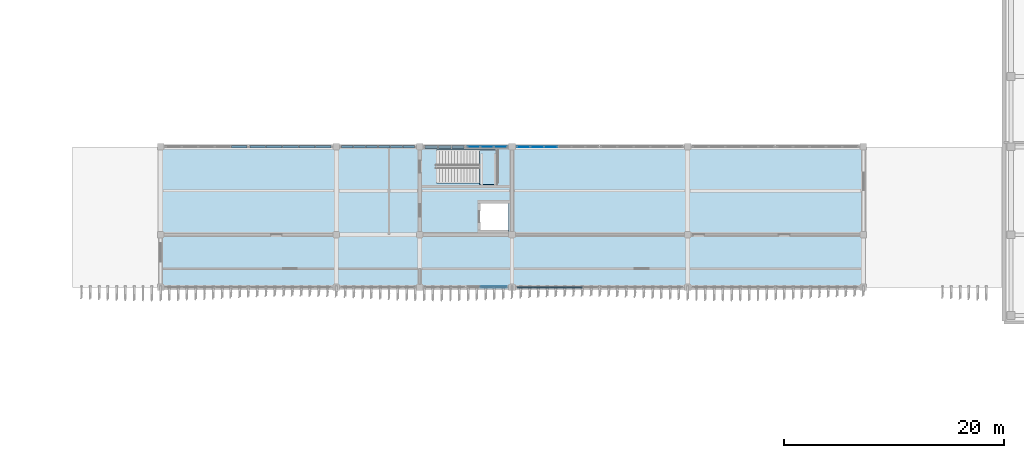
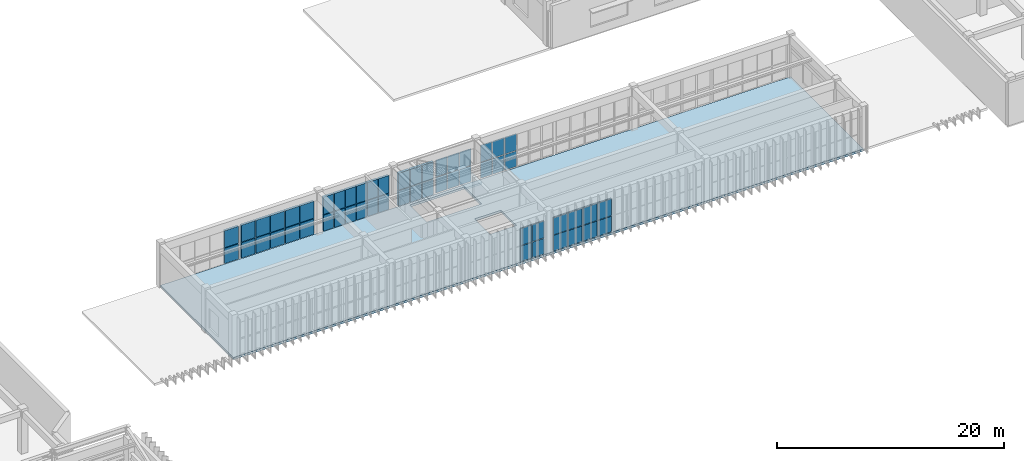
# One storey, part 44 of 76: 54 plates, 2 slabs, 9 elements without a shape of their own.
"""IFC4 building model written with IfcOpenShell, lengths in metres."""

import ifcopenshell
import ifcopenshell.guid

model = None  # the IFC model being written
_history = None  # IfcOwnerHistory: only IFC2X3 demands one
_inside = {}  # id of a spatial element -> (the spatial element, [elements in it])
_under = {}  # id of a project, library or spatial element -> (it, [spatial elements below it])
_declared = {}  # id of a project -> (the project, [libraries it declares])
_typed = {}  # id of a type object -> (the type object, [elements of that type])
_made_of = {}  # id of a material, layer set ... -> (it, [elements and type objects made of it])


def new_model(schema):
    """Start an empty IFC model of exactly this schema.

    Asked for "IFC4X3", IfcOpenShell would pick the latest addendum, in which some entities
    have other attributes; the version numbers below select the first issue.
    IFC2X3 requires an IfcOwnerHistory on every rooted entity: one is made here for all.
    """
    global model, _history
    if schema == "IFC4X3":
        model = ifcopenshell.file(schema_version=(4, 3, 0, 0))
    else:
        model = ifcopenshell.file(schema=schema)
    _inside.clear()
    _under.clear()
    _declared.clear()
    _typed.clear()
    _made_of.clear()
    _history = None
    if model.schema == "IFC2X3":
        org = make("IfcOrganization", Name="unknown")
        user = make(
            "IfcPersonAndOrganization",
            ThePerson=make("IfcPerson", FamilyName="unknown"),
            TheOrganization=org,
        )
        app = make(
            "IfcApplication",
            ApplicationDeveloper=org,
            Version="unknown",
            ApplicationFullName="unknown",
            ApplicationIdentifier="unknown",
        )
        _history = make(
            "IfcOwnerHistory",
            OwningUser=user,
            OwningApplication=app,
            ChangeAction="ADDED",
            CreationDate=0,
        )
    return model


def make(cls, **values):
    """One entity of the class cls with the attributes given. An attribute that is None is left unset."""
    return model.create_entity(
        cls, **{name: value for name, value in values.items() if value is not None}
    )


def rooted(cls, **values):
    """An entity with a GlobalId (a new one), such as an element, a storey or a relation."""
    return make(cls, GlobalId=ifcopenshell.guid.new(), OwnerHistory=_history, **values)


def si_unit(unit_type, name, prefix=None):
    """IfcSIUnit, for example si_unit("LENGTHUNIT", "METRE", prefix="MILLI")."""
    return make("IfcSIUnit", UnitType=unit_type, Prefix=prefix, Name=name)


def assignment(units):
    """IfcUnitAssignment: the units of a project."""
    return None if units is None else make("IfcUnitAssignment", Units=units)


def point(xyz):
    """IfcCartesianPoint."""
    return None if xyz is None else make("IfcCartesianPoint", Coordinates=xyz)


def direction(xyz):
    """IfcDirection."""
    return None if xyz is None else make("IfcDirection", DirectionRatios=xyz)


def frame(location, z_axis=None, x_axis=None):
    """IfcAxis2Placement3D, a coordinate frame: its origin and axes. An axis left out is left unset."""
    return make(
        "IfcAxis2Placement3D",
        Location=point(location),
        Axis=direction(z_axis),
        RefDirection=direction(x_axis),
    )


def frame_2d(location, x_axis=None):
    """IfcAxis2Placement2D, a coordinate frame in the plane: its origin and x axis."""
    return make(
        "IfcAxis2Placement2D", Location=point(location), RefDirection=direction(x_axis)
    )


def origin():
    """The frame at (0, 0, 0) with its axes left unset."""
    return frame((0.0, 0.0, 0.0))


def origin_2d():
    """The frame at (0, 0) in the plane with its x axis left unset."""
    return frame_2d((0.0, 0.0))


def place(relative_to, where):
    """IfcLocalPlacement: puts the frame where relative to a parent placement (None: the world)."""
    return make(
        "IfcLocalPlacement", PlacementRelTo=relative_to, RelativePlacement=where
    )


def context(
    kind, dimensions, precision=None, world=None, true_north=None, identifier=None
):
    """IfcGeometricRepresentationContext, for example the 3D "Model" context."""
    return make(
        "IfcGeometricRepresentationContext",
        ContextIdentifier=identifier,
        ContextType=kind,
        CoordinateSpaceDimension=dimensions,
        Precision=precision,
        WorldCoordinateSystem=world,
        TrueNorth=true_north,
    )


def subcontext(parent, identifier, kind, view, scale=None):
    """IfcGeometricRepresentationSubContext, for example "Body" below "Model"."""
    return make(
        "IfcGeometricRepresentationSubContext",
        ContextIdentifier=identifier,
        ContextType=kind,
        ParentContext=parent,
        TargetScale=scale,
        TargetView=view,
    )


def project(units=None, contexts=None):
    """IfcProject with its units and contexts."""
    return rooted(
        "IfcProject",
        Name="project",
        RepresentationContexts=contexts,
        UnitsInContext=assignment(units),
    )


def spatial(cls, under=None, at=None, **own):
    """A site, building, storey or space (cls), placed at a placement, below another one or the project."""
    s = rooted(cls, ObjectPlacement=at, **own)
    if under is not None:
        _under.setdefault(under.id(), (under, []))[1].append(s)
    return s


def polyline(points):
    """IfcPolyline through the points."""
    return make("IfcPolyline", Points=[point(p) for p in points])


def profile(cls, at=None, kind="AREA", **sizes):
    """A parametric profile (cls). Its sizes go by their IFC names, for example OverallWidth=200.0."""
    return make(cls, ProfileType=kind, Position=at, **sizes)


def rectangle(**sizes):
    """IfcRectangleProfileDef."""
    return profile("IfcRectangleProfileDef", **sizes)


def outline(outer, holes=None, kind="AREA"):
    """IfcArbitraryClosedProfileDef: a profile drawn as a closed curve; with holes, ...WithVoids."""
    if holes is None:
        return make("IfcArbitraryClosedProfileDef", ProfileType=kind, OuterCurve=outer)
    return make(
        "IfcArbitraryProfileDefWithVoids",
        ProfileType=kind,
        OuterCurve=outer,
        InnerCurves=holes,
    )


def extrude(swept, where, along, depth):
    """IfcExtrudedAreaSolid: the profile swept, set in the frame where, extruded along a direction by depth."""
    return make(
        "IfcExtrudedAreaSolid",
        SweptArea=swept,
        Position=where,
        ExtrudedDirection=direction(along),
        Depth=depth,
    )


def shape(context_of_items, identifier, shape_type, items):
    """IfcShapeRepresentation: the items that make up one representation, for example the "Body"."""
    return make(
        "IfcShapeRepresentation",
        ContextOfItems=context_of_items,
        RepresentationIdentifier=identifier,
        RepresentationType=shape_type,
        Items=items,
    )


def material(Name=None, Category=None):
    """IfcMaterial."""
    return make("IfcMaterial", Name=Name, Category=Category)


def layer(
    of_material, thickness, ventilated=None, Name=None, Category=None, Priority=None
):
    """IfcMaterialLayer: one layer of a wall or slab, of a material (None: an air gap)."""
    return make(
        "IfcMaterialLayer",
        Material=of_material,
        LayerThickness=thickness,
        IsVentilated=ventilated,
        Name=Name,
        Category=Category,
        Priority=Priority,
    )


def layer_set(layers, Name=None):
    """IfcMaterialLayerSet."""
    return make("IfcMaterialLayerSet", MaterialLayers=layers, LayerSetName=Name)


def made_of(thing, what):
    """Note that an element or type object is made of a material, layer set ...; save() writes the relation."""
    if what is not None:
        _made_of.setdefault(what.id(), (what, []))[1].append(thing)
    return thing


def type_object(cls, material=None, **own):
    """A type object (cls), such as IfcWallType, which elements share."""
    return made_of(rooted(cls, **own), material)


def element(
    cls,
    number,
    at=None,
    inside=None,
    cuts=None,
    type_object=None,
    material=None,
    context=None,
    identifier="Body",
    shape_type=None,
    held_by="IfcProductDefinitionShape",
    body=None,
    shapes=None,
    **own,
):
    """One element of the class cls, such as IfcWall. Its Tag is "e" and its number.

    at: its placement. inside: the storey or other place that contains it. cuts: it is an
    opening in that element (IfcRelVoidsElement). A single representation is given by context,
    identifier, shape_type and body (its items); several are given by shapes. held_by: the class
    of the entity that holds the representations. save() writes the other relations.
    """
    e = rooted(cls, Tag="e%d" % number, ObjectPlacement=at, **own)
    if body is not None:
        shapes = [shape(context, identifier, shape_type, body)]
    if shapes is not None:
        e.Representation = make(held_by, Representations=shapes)
    if inside is not None:
        _inside.setdefault(inside.id(), (inside, []))[1].append(e)
    if cuts is not None:
        rooted(
            "IfcRelVoidsElement", RelatingBuildingElement=cuts, RelatedOpeningElement=e
        )
    if type_object is not None:
        _typed.setdefault(type_object.id(), (type_object, []))[1].append(e)
    return made_of(e, material)


def aggregate(whole, parts):
    """IfcRelAggregates: a whole, such as a stair, and the parts it consists of."""
    return rooted("IfcRelAggregates", RelatingObject=whole, RelatedObjects=parts)


def save(model, path):
    """Write the relations noted so far, then the file.

    IfcRelAggregates (storeys below a building ...), IfcRelContainedInSpatialStructure (elements
    in a storey), IfcRelDefinesByType, IfcRelAssociatesMaterial and IfcRelDeclares: one each for
    every whole, place, type object, material and project.
    """
    for whole, parts in _under.values():
        aggregate(whole, parts)
    for where, things in _inside.values():
        rooted(
            "IfcRelContainedInSpatialStructure",
            RelatedElements=things,
            RelatingStructure=where,
        )
    for kind, things in _typed.values():
        rooted("IfcRelDefinesByType", RelatedObjects=things, RelatingType=kind)
    for what, things in _made_of.values():
        rooted("IfcRelAssociatesMaterial", RelatedObjects=things, RelatingMaterial=what)
    for by, libraries in _declared.values():
        rooted("IfcRelDeclares", RelatingContext=by, RelatedDefinitions=libraries)
    model.write(path)


model = new_model("IFC4")

# Units and contexts
model_context = context("Model", 3, precision=1e-05, world=origin(), true_north=direction((0.0, 1.0)))
body_context = subcontext(model_context, "Body", "Model", "MODEL_VIEW")
ifc_project = project(units=[si_unit("LENGTHUNIT", "METRE"), si_unit("AREAUNIT", "SQUARE_METRE"), si_unit("VOLUMEUNIT", "CUBIC_METRE"), si_unit("PLANEANGLEUNIT", "RADIAN"), si_unit("MASSUNIT", "GRAM", prefix="KILO")], contexts=[model_context])

# Site, building, storey
site_placement = place(None, origin())
site = spatial("IfcSite", under=ifc_project, at=site_placement, CompositionType="ELEMENT")
building_placement = place(site_placement, origin())
building = spatial("IfcBuilding", under=site, at=building_placement, Name="Cinchona Park Media Centre", CompositionType="ELEMENT")
storey_placement = place(building_placement, frame((0.0, 0.0, 15.60009765625)))
storey = spatial("IfcBuildingStorey", under=building, at=storey_placement, Name="L03", CompositionType="ELEMENT", Elevation=15.60009765625)

# Curtain wall, plates
ifc_material_1 = material(Name="Aluminium Curtain Wall Framing", Category="aluminium")
ifc_layer_1 = layer(ifc_material_1, 0.2099609375)
ifc_layer_set_1 = layer_set([ifc_layer_1], Name="Aluminium Curtain Wall Framing")
curtain_wall_type_1 = type_object("IfcCurtainWallType", Name="CW-CW03", PredefinedType="USERDEFINED", material=ifc_layer_set_1)
curtain_wall_1_placement = place(storey_placement, origin())
curtain_wall_1 = element("IfcCurtainWall", 1, at=curtain_wall_1_placement, inside=storey, type_object=curtain_wall_type_1, Name="Curtain Wall CW03 L03", ObjectType="UNITISED CURTAIN WALL", PredefinedType="USERDEFINED")
ifc_material_2 = material(Name="Laminated Solar-Control Double Glazing", Category="glass")
ifc_layer_2 = layer(ifc_material_2, 0.02001953125)
ifc_layer_set_2 = layer_set([ifc_layer_2], Name="Laminated Solar-Control Double Glazing")
plate_type_1 = type_object("IfcPlateType", Name="CWPANEL-PNL01", PredefinedType="CURTAIN_PANEL", material=ifc_layer_set_2)
plate_1_placement = place(storey_placement, frame((91.314208984375, 87.60009765625, 0.1201171875), z_axis=(0.0, 0.0, 1.0), x_axis=(1.0, 0.0, 0.0)))
plate_1 = element("IfcPlate", 2, at=plate_1_placement, type_object=plate_type_1, Name="CW03 panel 1.1", PredefinedType="CURTAIN_PANEL", context=body_context, shape_type="SweptSolid", body=[
    extrude(rectangle(XDim=1.12841796875, YDim=0.02001953125, at=origin_2d()), origin(), (0.0, 0.0, 1.0), 1.660888671875),
])
plate_2_placement = place(storey_placement, frame((91.314208984375, 87.60009765625, 1.850830078125), z_axis=(0.0, 0.0, 1.0), x_axis=(1.0, 0.0, 0.0)))
plate_2 = element("IfcPlate", 3, at=plate_2_placement, type_object=plate_type_1, Name="CW03 panel 1.2", PredefinedType="CURTAIN_PANEL", context=body_context, shape_type="SweptSolid", body=[
    extrude(rectangle(XDim=1.12841796875, YDim=0.02001953125, at=origin_2d()), origin(), (0.0, 0.0, 1.0), 1.80908203125),
])
plate_3_placement = place(storey_placement, frame((92.530029296875, 87.60009765625, 0.1201171875), z_axis=(0.0, 0.0, 1.0), x_axis=(1.0, 0.0, 0.0)))
plate_3 = element("IfcPlate", 4, at=plate_3_placement, type_object=plate_type_1, Name="CW03 panel 2.1", PredefinedType="CURTAIN_PANEL", context=body_context, shape_type="SweptSolid", body=[
    extrude(rectangle(XDim=1.163330078125, YDim=0.02001953125, at=origin_2d()), origin(), (0.0, 0.0, 1.0), 1.660888671875),
])
plate_4_placement = place(storey_placement, frame((92.530029296875, 87.60009765625, 1.850830078125), z_axis=(0.0, 0.0, 1.0), x_axis=(1.0, 0.0, 0.0)))
plate_4 = element("IfcPlate", 5, at=plate_4_placement, type_object=plate_type_1, Name="CW03 panel 2.2", PredefinedType="CURTAIN_PANEL", context=body_context, shape_type="SweptSolid", body=[
    extrude(rectangle(XDim=1.163330078125, YDim=0.02001953125, at=origin_2d()), origin(), (0.0, 0.0, 1.0), 1.80908203125),
])
plate_5_placement = place(storey_placement, frame((93.745849609375, 87.60009765625, 0.1201171875), z_axis=(0.0, 0.0, 1.0), x_axis=(1.0, 0.0, 0.0)))
plate_5 = element("IfcPlate", 6, at=plate_5_placement, type_object=plate_type_1, Name="CW03 panel 3.1", PredefinedType="CURTAIN_PANEL", context=body_context, shape_type="SweptSolid", body=[
    extrude(rectangle(XDim=1.12841796875, YDim=0.02001953125, at=origin_2d()), origin(), (0.0, 0.0, 1.0), 1.660888671875),
])
plate_6_placement = place(storey_placement, frame((93.745849609375, 87.60009765625, 1.850830078125), z_axis=(0.0, 0.0, 1.0), x_axis=(1.0, 0.0, 0.0)))
plate_6 = element("IfcPlate", 7, at=plate_6_placement, type_object=plate_type_1, Name="CW03 panel 3.2", PredefinedType="CURTAIN_PANEL", context=body_context, shape_type="SweptSolid", body=[
    extrude(rectangle(XDim=1.12841796875, YDim=0.02001953125, at=origin_2d()), origin(), (0.0, 0.0, 1.0), 1.80908203125),
])
aggregate(curtain_wall_1, [plate_1, plate_2, plate_3, plate_4, plate_5, plate_6])

ifc_material_3 = material(Name="Aluminium Curtain Wall Framing", Category="aluminium")
ifc_layer_3 = layer(ifc_material_3, 0.22509765625)
ifc_layer_set_3 = layer_set([ifc_layer_3], Name="Aluminium Curtain Wall Framing")
curtain_wall_type_2 = type_object("IfcCurtainWallType", Name="CW-CW04", PredefinedType="USERDEFINED", material=ifc_layer_set_3)
curtain_wall_2_placement = place(storey_placement, origin())
curtain_wall_2 = element("IfcCurtainWall", 8, at=curtain_wall_2_placement, inside=storey, type_object=curtain_wall_type_2, Name="Curtain Wall CW04 L03", ObjectType="UNITISED CURTAIN WALL", PredefinedType="USERDEFINED")
ifc_material_4 = material(Name="Laminated Solar-Control Double Glazing", Category="glass")
ifc_layer_4 = layer(ifc_material_4, 0.030029296875)
ifc_layer_set_4 = layer_set([ifc_layer_4], Name="Laminated Solar-Control Double Glazing")
plate_type_2 = type_object("IfcPlateType", Name="CWPANEL-PNL02", PredefinedType="CURTAIN_PANEL", material=ifc_layer_set_4)
plate_7_placement = place(storey_placement, frame((95.861328125, 87.60009765625, 0.114990234375), z_axis=(0.0, 0.0, 1.0), x_axis=(1.0, 0.0, 0.0)))
plate_7 = element("IfcPlate", 9, at=plate_7_placement, type_object=plate_type_2, Name="CW04 panel 1.1", PredefinedType="CURTAIN_PANEL", context=body_context, shape_type="SweptSolid", body=[
    extrude(rectangle(XDim=1.152587890625, YDim=0.030029296875, at=origin_2d()), origin(), (0.0, 0.0, 1.0), 1.66845703125),
])
plate_8_placement = place(storey_placement, frame((95.861328125, 87.60009765625, 1.848388671875), z_axis=(0.0, 0.0, 1.0), x_axis=(1.0, 0.0, 0.0)))
plate_8 = element("IfcPlate", 10, at=plate_8_placement, type_object=plate_type_2, Name="CW04 panel 1.2", PredefinedType="CURTAIN_PANEL", context=body_context, shape_type="SweptSolid", body=[
    extrude(rectangle(XDim=1.152587890625, YDim=0.030029296875, at=origin_2d()), origin(), (0.0, 0.0, 1.0), 1.81640625),
])
plate_9_placement = place(storey_placement, frame((97.094970703125, 87.60009765625, 0.114990234375), z_axis=(0.0, 0.0, 1.0), x_axis=(1.0, 0.0, 0.0)))
plate_9 = element("IfcPlate", 11, at=plate_9_placement, type_object=plate_type_2, Name="CW04 panel 2.1", PredefinedType="CURTAIN_PANEL", context=body_context, shape_type="SweptSolid", body=[
    extrude(rectangle(XDim=1.18505859375, YDim=0.030029296875, at=origin_2d()), origin(), (0.0, 0.0, 1.0), 1.66845703125),
])
plate_10_placement = place(storey_placement, frame((97.094970703125, 87.60009765625, 1.848388671875), z_axis=(0.0, 0.0, 1.0), x_axis=(1.0, 0.0, 0.0)))
plate_10 = element("IfcPlate", 12, at=plate_10_placement, type_object=plate_type_2, Name="CW04 panel 2.2", PredefinedType="CURTAIN_PANEL", context=body_context, shape_type="SweptSolid", body=[
    extrude(rectangle(XDim=1.18505859375, YDim=0.030029296875, at=origin_2d()), origin(), (0.0, 0.0, 1.0), 1.81640625),
])
plate_11_placement = place(storey_placement, frame((98.344970703125, 87.60009765625, 0.114990234375), z_axis=(0.0, 0.0, 1.0), x_axis=(1.0, 0.0, 0.0)))
plate_11 = element("IfcPlate", 13, at=plate_11_placement, type_object=plate_type_2, Name="CW04 panel 3.1", PredefinedType="CURTAIN_PANEL", context=body_context, shape_type="SweptSolid", body=[
    extrude(rectangle(XDim=1.18505859375, YDim=0.030029296875, at=origin_2d()), origin(), (0.0, 0.0, 1.0), 1.66845703125),
])
plate_12_placement = place(storey_placement, frame((98.344970703125, 87.60009765625, 1.848388671875), z_axis=(0.0, 0.0, 1.0), x_axis=(1.0, 0.0, 0.0)))
plate_12 = element("IfcPlate", 14, at=plate_12_placement, type_object=plate_type_2, Name="CW04 panel 3.2", PredefinedType="CURTAIN_PANEL", context=body_context, shape_type="SweptSolid", body=[
    extrude(rectangle(XDim=1.18505859375, YDim=0.030029296875, at=origin_2d()), origin(), (0.0, 0.0, 1.0), 1.81640625),
])
aggregate(curtain_wall_2, [plate_7, plate_8, plate_9, plate_10, plate_11, plate_12])

ifc_material_5 = material(Name="Aluminium Curtain Wall Framing", Category="aluminium")
ifc_layer_5 = layer(ifc_material_5, 0.195068359375)
ifc_layer_set_5 = layer_set([ifc_layer_5], Name="Aluminium Curtain Wall Framing")
curtain_wall_type_3 = type_object("IfcCurtainWallType", Name="CW-CW02", PredefinedType="USERDEFINED", material=ifc_layer_set_5)
curtain_wall_3_placement = place(storey_placement, origin())
curtain_wall_3 = element("IfcCurtainWall", 15, at=curtain_wall_3_placement, inside=storey, type_object=curtain_wall_type_3, Name="Curtain Wall CW02 L03", ObjectType="UNITISED CURTAIN WALL", PredefinedType="USERDEFINED")
ifc_material_6 = material(Name="Insulated Acoustic Aluminium-Glass Spandrel Cassette", Category="aluminium")
ifc_layer_6 = layer(ifc_material_6, 0.090087890625)
ifc_layer_set_6 = layer_set([ifc_layer_6], Name="Insulated Acoustic Aluminium-Glass Spandrel Cassette")
plate_type_3 = type_object("IfcPlateType", Name="CWPANEL-PNL08", PredefinedType="CURTAIN_PANEL", material=ifc_layer_set_6)
plate_13_placement = place(storey_placement, frame((93.745849609375, 74.800048828125, 0.1201171875), z_axis=(0.0, 0.0, 1.0), x_axis=(-1.0, 0.0, 0.0)))
plate_13 = element("IfcPlate", 16, at=plate_13_placement, type_object=plate_type_3, Name="CW02 panel 1.1", PredefinedType="CURTAIN_PANEL", context=body_context, shape_type="SweptSolid", body=[
    extrude(rectangle(XDim=1.12841796875, YDim=0.090087890625, at=origin_2d()), origin(), (0.0, 0.0, 1.0), 1.660888671875),
])
plate_14_placement = place(storey_placement, frame((93.745849609375, 74.800048828125, 1.850830078125), z_axis=(0.0, 0.0, 1.0), x_axis=(-1.0, 0.0, 0.0)))
plate_14 = element("IfcPlate", 17, at=plate_14_placement, type_object=plate_type_3, Name="CW02 panel 1.2", PredefinedType="CURTAIN_PANEL", context=body_context, shape_type="SweptSolid", body=[
    extrude(rectangle(XDim=1.12841796875, YDim=0.090087890625, at=origin_2d()), origin(), (0.0, 0.0, 1.0), 1.80908203125),
])
plate_15_placement = place(storey_placement, frame((92.530029296875, 74.800048828125, 0.1201171875), z_axis=(0.0, 0.0, 1.0), x_axis=(-1.0, 0.0, 0.0)))
plate_15 = element("IfcPlate", 18, at=plate_15_placement, type_object=plate_type_3, Name="CW02 panel 2.1", PredefinedType="CURTAIN_PANEL", context=body_context, shape_type="SweptSolid", body=[
    extrude(rectangle(XDim=1.163330078125, YDim=0.090087890625, at=origin_2d()), origin(), (0.0, 0.0, 1.0), 1.660888671875),
])
plate_16_placement = place(storey_placement, frame((92.530029296875, 74.800048828125, 1.850830078125), z_axis=(0.0, 0.0, 1.0), x_axis=(-1.0, 0.0, 0.0)))
plate_16 = element("IfcPlate", 19, at=plate_16_placement, type_object=plate_type_3, Name="CW02 panel 2.2", PredefinedType="CURTAIN_PANEL", context=body_context, shape_type="SweptSolid", body=[
    extrude(rectangle(XDim=1.163330078125, YDim=0.090087890625, at=origin_2d()), origin(), (0.0, 0.0, 1.0), 1.80908203125),
])
aggregate(curtain_wall_3, [plate_13, plate_14, plate_15, plate_16])

ifc_material_7 = material(Name="Aluminium Curtain Wall Framing", Category="aluminium")
ifc_layer_7 = layer(ifc_material_7, 0.239990234375)
ifc_layer_set_7 = layer_set([ifc_layer_7], Name="Aluminium Curtain Wall Framing")
curtain_wall_type_4 = type_object("IfcCurtainWallType", Name="CW-CW05", PredefinedType="USERDEFINED", material=ifc_layer_set_7)
curtain_wall_4_placement = place(storey_placement, origin())
curtain_wall_4 = element("IfcCurtainWall", 20, at=curtain_wall_4_placement, inside=storey, type_object=curtain_wall_type_4, Name="Curtain Wall CW05 L03", ObjectType="UNITISED CURTAIN WALL", PredefinedType="USERDEFINED")
ifc_material_8 = material(Name="Insulated Acoustic Aluminium-Glass Spandrel Cassette", Category="aluminium")
ifc_layer_8 = layer(ifc_material_8, 0.139892578125)
ifc_layer_set_8 = layer_set([ifc_layer_8], Name="Insulated Acoustic Aluminium-Glass Spandrel Cassette")
plate_type_4 = type_object("IfcPlateType", Name="CWPANEL-PNL13", PredefinedType="CURTAIN_PANEL", material=ifc_layer_set_8)
plate_17_placement = place(storey_placement, frame((100.469970703125, 74.800048828125, 0.114990234375), z_axis=(0.0, 0.0, 1.0), x_axis=(-1.0, 0.0, 0.0)))
plate_17 = element("IfcPlate", 21, at=plate_17_placement, type_object=plate_type_4, Name="CW05 panel 2.1", PredefinedType="CURTAIN_PANEL", context=body_context, shape_type="SweptSolid", body=[
    extrude(rectangle(XDim=1.43505859375, YDim=0.139892578125, at=origin_2d()), origin(), (0.0, 0.0, 1.0), 1.66845703125),
])
plate_18_placement = place(storey_placement, frame((100.469970703125, 74.800048828125, 1.848388671875), z_axis=(0.0, 0.0, 1.0), x_axis=(-1.0, 0.0, 0.0)))
plate_18 = element("IfcPlate", 22, at=plate_18_placement, type_object=plate_type_4, Name="CW05 panel 2.2", PredefinedType="CURTAIN_PANEL", context=body_context, shape_type="SweptSolid", body=[
    extrude(rectangle(XDim=1.43505859375, YDim=0.139892578125, at=origin_2d()), origin(), (0.0, 0.0, 1.0), 1.81640625),
])
plate_19_placement = place(storey_placement, frame((98.969970703125, 74.800048828125, 0.114990234375), z_axis=(0.0, 0.0, 1.0), x_axis=(-1.0, 0.0, 0.0)))
plate_19 = element("IfcPlate", 23, at=plate_19_placement, type_object=plate_type_4, Name="CW05 panel 3.1", PredefinedType="CURTAIN_PANEL", context=body_context, shape_type="SweptSolid", body=[
    extrude(rectangle(XDim=1.43505859375, YDim=0.139892578125, at=origin_2d()), origin(), (0.0, 0.0, 1.0), 1.66845703125),
])
plate_20_placement = place(storey_placement, frame((98.969970703125, 74.800048828125, 1.848388671875), z_axis=(0.0, 0.0, 1.0), x_axis=(-1.0, 0.0, 0.0)))
plate_20 = element("IfcPlate", 24, at=plate_20_placement, type_object=plate_type_4, Name="CW05 panel 3.2", PredefinedType="CURTAIN_PANEL", context=body_context, shape_type="SweptSolid", body=[
    extrude(rectangle(XDim=1.43505859375, YDim=0.139892578125, at=origin_2d()), origin(), (0.0, 0.0, 1.0), 1.81640625),
])
plate_21_placement = place(storey_placement, frame((97.469970703125, 74.800048828125, 0.114990234375), z_axis=(0.0, 0.0, 1.0), x_axis=(-1.0, 0.0, 0.0)))
plate_21 = element("IfcPlate", 25, at=plate_21_placement, type_object=plate_type_4, Name="CW05 panel 4.1", PredefinedType="CURTAIN_PANEL", context=body_context, shape_type="SweptSolid", body=[
    extrude(rectangle(XDim=1.43505859375, YDim=0.139892578125, at=origin_2d()), origin(), (0.0, 0.0, 1.0), 1.66845703125),
])
plate_22_placement = place(storey_placement, frame((97.469970703125, 74.800048828125, 1.848388671875), z_axis=(0.0, 0.0, 1.0), x_axis=(-1.0, 0.0, 0.0)))
plate_22 = element("IfcPlate", 26, at=plate_22_placement, type_object=plate_type_4, Name="CW05 panel 4.2", PredefinedType="CURTAIN_PANEL", context=body_context, shape_type="SweptSolid", body=[
    extrude(rectangle(XDim=1.43505859375, YDim=0.139892578125, at=origin_2d()), origin(), (0.0, 0.0, 1.0), 1.81640625),
])
plate_23_placement = place(storey_placement, frame((95.986328125, 74.800048828125, 0.114990234375), z_axis=(0.0, 0.0, 1.0), x_axis=(-1.0, 0.0, 0.0)))
plate_23 = element("IfcPlate", 27, at=plate_23_placement, type_object=plate_type_4, Name="CW05 panel 5.1", PredefinedType="CURTAIN_PANEL", context=body_context, shape_type="SweptSolid", body=[
    extrude(rectangle(XDim=1.402587890625, YDim=0.139892578125, at=origin_2d()), origin(), (0.0, 0.0, 1.0), 1.66845703125),
])
plate_24_placement = place(storey_placement, frame((95.986328125, 74.800048828125, 1.848388671875), z_axis=(0.0, 0.0, 1.0), x_axis=(-1.0, 0.0, 0.0)))
plate_24 = element("IfcPlate", 28, at=plate_24_placement, type_object=plate_type_4, Name="CW05 panel 5.2", PredefinedType="CURTAIN_PANEL", context=body_context, shape_type="SweptSolid", body=[
    extrude(rectangle(XDim=1.402587890625, YDim=0.139892578125, at=origin_2d()), origin(), (0.0, 0.0, 1.0), 1.81640625),
])
aggregate(curtain_wall_4, [plate_17, plate_18, plate_19, plate_20, plate_21, plate_22, plate_23, plate_24])

ifc_material_9 = material(Name="Aluminium Curtain Wall Framing", Category="aluminium")
ifc_layer_9 = layer(ifc_material_9, 0.284912109375)
ifc_layer_set_9 = layer_set([ifc_layer_9], Name="Aluminium Curtain Wall Framing")
curtain_wall_type_5 = type_object("IfcCurtainWallType", Name="CW-CW08", PredefinedType="USERDEFINED", material=ifc_layer_set_9)
curtain_wall_5_placement = place(storey_placement, origin())
curtain_wall_5 = element("IfcCurtainWall", 29, at=curtain_wall_5_placement, inside=storey, type_object=curtain_wall_type_5, Name="Curtain Wall CW08 L03", ObjectType="UNITISED CURTAIN WALL", PredefinedType="USERDEFINED")
ifc_material_10 = material(Name="Insulated Acoustic Aluminium-Glass Spandrel Cassette", Category="aluminium")
ifc_layer_10 = layer(ifc_material_10, 0.2099609375)
ifc_layer_set_10 = layer_set([ifc_layer_10], Name="Insulated Acoustic Aluminium-Glass Spandrel Cassette")
plate_type_5 = type_object("IfcPlateType", Name="CWPANEL-PNL20", PredefinedType="CURTAIN_PANEL", material=ifc_layer_set_10)
plate_25_placement = place(storey_placement, frame((69.952392578125, 87.60009765625, 0.1201171875), z_axis=(0.0, 0.0, 1.0), x_axis=(1.0, 0.0, 0.0)))
plate_25 = element("IfcPlate", 30, at=plate_25_placement, type_object=plate_type_5, Name="CW08 panel 5.1", PredefinedType="CURTAIN_PANEL", context=body_context, shape_type="SweptSolid", body=[
    extrude(rectangle(XDim=1.39501953125, YDim=0.2099609375, at=origin_2d()), origin(), (0.0, 0.0, 1.0), 1.660888671875),
])
plate_26_placement = place(storey_placement, frame((69.952392578125, 87.60009765625, 1.850830078125), z_axis=(0.0, 0.0, 1.0), x_axis=(1.0, 0.0, 0.0)))
plate_26 = element("IfcPlate", 31, at=plate_26_placement, type_object=plate_type_5, Name="CW08 panel 5.2", PredefinedType="CURTAIN_PANEL", context=body_context, shape_type="SweptSolid", body=[
    extrude(rectangle(XDim=1.39501953125, YDim=0.2099609375, at=origin_2d()), origin(), (0.0, 0.0, 1.0), 1.80908203125),
])
aggregate(curtain_wall_5, [plate_25, plate_26])

ifc_material_11 = material(Name="Aluminium Curtain Wall Framing", Category="aluminium")
ifc_layer_11 = layer(ifc_material_11, 0.300048828125)
ifc_layer_set_11 = layer_set([ifc_layer_11], Name="Aluminium Curtain Wall Framing")
curtain_wall_type_6 = type_object("IfcCurtainWallType", Name="CW-CW09", PredefinedType="USERDEFINED", material=ifc_layer_set_11)
curtain_wall_6_placement = place(storey_placement, origin())
curtain_wall_6 = element("IfcCurtainWall", 32, at=curtain_wall_6_placement, inside=storey, type_object=curtain_wall_type_6, Name="Curtain Wall CW09 L03", ObjectType="UNITISED CURTAIN WALL", PredefinedType="USERDEFINED")
ifc_material_12 = material(Name="Insulated Acoustic Aluminium-Glass Spandrel Cassette", Category="aluminium")
ifc_layer_12 = layer(ifc_material_12, 0.22998046875)
ifc_layer_set_12 = layer_set([ifc_layer_12], Name="Insulated Acoustic Aluminium-Glass Spandrel Cassette")
plate_type_6 = type_object("IfcPlateType", Name="CWPANEL-PNL22", PredefinedType="CURTAIN_PANEL", material=ifc_layer_set_12)
plate_27_placement = place(storey_placement, frame((71.6474609375, 87.60009765625, 0.1201171875), z_axis=(0.0, 0.0, 1.0), x_axis=(1.0, 0.0, 0.0)))
plate_27 = element("IfcPlate", 33, at=plate_27_placement, type_object=plate_type_6, Name="CW09 panel 1.1", PredefinedType="CURTAIN_PANEL", context=body_context, shape_type="SweptSolid", body=[
    extrude(rectangle(XDim=1.39501953125, YDim=0.22998046875, at=origin_2d()), origin(), (0.0, 0.0, 1.0), 1.660888671875),
])
plate_28_placement = place(storey_placement, frame((71.6474609375, 87.60009765625, 1.850830078125), z_axis=(0.0, 0.0, 1.0), x_axis=(1.0, 0.0, 0.0)))
plate_28 = element("IfcPlate", 34, at=plate_28_placement, type_object=plate_type_6, Name="CW09 panel 1.2", PredefinedType="CURTAIN_PANEL", context=body_context, shape_type="SweptSolid", body=[
    extrude(rectangle(XDim=1.39501953125, YDim=0.22998046875, at=origin_2d()), origin(), (0.0, 0.0, 1.0), 1.80908203125),
])
plate_29_placement = place(storey_placement, frame((73.1298828125, 87.60009765625, 0.1201171875), z_axis=(0.0, 0.0, 1.0), x_axis=(1.0, 0.0, 0.0)))
plate_29 = element("IfcPlate", 35, at=plate_29_placement, type_object=plate_type_6, Name="CW09 panel 2.1", PredefinedType="CURTAIN_PANEL", context=body_context, shape_type="SweptSolid", body=[
    extrude(rectangle(XDim=1.429931640625, YDim=0.22998046875, at=origin_2d()), origin(), (0.0, 0.0, 1.0), 1.660888671875),
])
plate_30_placement = place(storey_placement, frame((73.1298828125, 87.60009765625, 1.850830078125), z_axis=(0.0, 0.0, 1.0), x_axis=(1.0, 0.0, 0.0)))
plate_30 = element("IfcPlate", 36, at=plate_30_placement, type_object=plate_type_6, Name="CW09 panel 2.2", PredefinedType="CURTAIN_PANEL", context=body_context, shape_type="SweptSolid", body=[
    extrude(rectangle(XDim=1.429931640625, YDim=0.22998046875, at=origin_2d()), origin(), (0.0, 0.0, 1.0), 1.80908203125),
])
plate_31_placement = place(storey_placement, frame((74.6298828125, 87.60009765625, 0.1201171875), z_axis=(0.0, 0.0, 1.0), x_axis=(1.0, 0.0, 0.0)))
plate_31 = element("IfcPlate", 37, at=plate_31_placement, type_object=plate_type_6, Name="CW09 panel 3.1", PredefinedType="CURTAIN_PANEL", context=body_context, shape_type="SweptSolid", body=[
    extrude(rectangle(XDim=1.429931640625, YDim=0.22998046875, at=origin_2d()), origin(), (0.0, 0.0, 1.0), 1.660888671875),
])
plate_32_placement = place(storey_placement, frame((74.6298828125, 87.60009765625, 1.850830078125), z_axis=(0.0, 0.0, 1.0), x_axis=(1.0, 0.0, 0.0)))
plate_32 = element("IfcPlate", 38, at=plate_32_placement, type_object=plate_type_6, Name="CW09 panel 3.2", PredefinedType="CURTAIN_PANEL", context=body_context, shape_type="SweptSolid", body=[
    extrude(rectangle(XDim=1.429931640625, YDim=0.22998046875, at=origin_2d()), origin(), (0.0, 0.0, 1.0), 1.80908203125),
])
plate_33_placement = place(storey_placement, frame((76.1298828125, 87.60009765625, 0.1201171875), z_axis=(0.0, 0.0, 1.0), x_axis=(1.0, 0.0, 0.0)))
plate_33 = element("IfcPlate", 39, at=plate_33_placement, type_object=plate_type_6, Name="CW09 panel 4.1", PredefinedType="CURTAIN_PANEL", context=body_context, shape_type="SweptSolid", body=[
    extrude(rectangle(XDim=1.429931640625, YDim=0.22998046875, at=origin_2d()), origin(), (0.0, 0.0, 1.0), 1.660888671875),
])
plate_34_placement = place(storey_placement, frame((76.1298828125, 87.60009765625, 1.850830078125), z_axis=(0.0, 0.0, 1.0), x_axis=(1.0, 0.0, 0.0)))
plate_34 = element("IfcPlate", 40, at=plate_34_placement, type_object=plate_type_6, Name="CW09 panel 4.2", PredefinedType="CURTAIN_PANEL", context=body_context, shape_type="SweptSolid", body=[
    extrude(rectangle(XDim=1.429931640625, YDim=0.22998046875, at=origin_2d()), origin(), (0.0, 0.0, 1.0), 1.80908203125),
])
plate_35_placement = place(storey_placement, frame((77.612548828125, 87.60009765625, 0.1201171875), z_axis=(0.0, 0.0, 1.0), x_axis=(1.0, 0.0, 0.0)))
plate_35 = element("IfcPlate", 41, at=plate_35_placement, type_object=plate_type_6, Name="CW09 panel 5.1", PredefinedType="CURTAIN_PANEL", context=body_context, shape_type="SweptSolid", body=[
    extrude(rectangle(XDim=1.39501953125, YDim=0.22998046875, at=origin_2d()), origin(), (0.0, 0.0, 1.0), 1.660888671875),
])
plate_36_placement = place(storey_placement, frame((77.612548828125, 87.60009765625, 1.850830078125), z_axis=(0.0, 0.0, 1.0), x_axis=(1.0, 0.0, 0.0)))
plate_36 = element("IfcPlate", 42, at=plate_36_placement, type_object=plate_type_6, Name="CW09 panel 5.2", PredefinedType="CURTAIN_PANEL", context=body_context, shape_type="SweptSolid", body=[
    extrude(rectangle(XDim=1.39501953125, YDim=0.22998046875, at=origin_2d()), origin(), (0.0, 0.0, 1.0), 1.80908203125),
])
aggregate(curtain_wall_6, [plate_27, plate_28, plate_29, plate_30, plate_31, plate_32, plate_33, plate_34, plate_35, plate_36])

ifc_material_13 = material(Name="Aluminium Curtain Wall Framing", Category="aluminium")
ifc_layer_13 = layer(ifc_material_13, 0.179931640625)
ifc_layer_set_13 = layer_set([ifc_layer_13], Name="Aluminium Curtain Wall Framing")
curtain_wall_type_7 = type_object("IfcCurtainWallType", Name="CW-CW01", PredefinedType="USERDEFINED", material=ifc_layer_set_13)
curtain_wall_7_placement = place(storey_placement, origin())
curtain_wall_7 = element("IfcCurtainWall", 43, at=curtain_wall_7_placement, inside=storey, type_object=curtain_wall_type_7, Name="Curtain Wall CW01 L03", ObjectType="UNITISED CURTAIN WALL", PredefinedType="USERDEFINED")
ifc_material_14 = material(Name="Insulated Acoustic Aluminium-Glass Spandrel Cassette", Category="aluminium")
ifc_layer_14 = layer(ifc_material_14, 0.239990234375)
ifc_layer_set_14 = layer_set([ifc_layer_14], Name="Insulated Acoustic Aluminium-Glass Spandrel Cassette")
plate_type_7 = type_object("IfcPlateType", Name="CWPANEL-PNL23", PredefinedType="CURTAIN_PANEL", material=ifc_layer_set_14)
plate_37_placement = place(storey_placement, frame((79.799560546875, 87.60009765625, 0.11474609375), z_axis=(0.0, 0.0, 1.0), x_axis=(1.0, 0.0, 0.0)))
plate_37 = element("IfcPlate", 44, at=plate_37_placement, type_object=plate_type_7, Name="CW01 panel 1.1", PredefinedType="CURTAIN_PANEL", context=body_context, shape_type="SweptSolid", body=[
    extrude(rectangle(XDim=1.029052734375, YDim=0.239990234375, at=origin_2d()), origin(), (0.0, 0.0, 1.0), 1.716552734375),
])
plate_38_placement = place(storey_placement, frame((79.799560546875, 87.60009765625, 1.896484375), z_axis=(0.0, 0.0, 1.0), x_axis=(1.0, 0.0, 0.0)))
plate_38 = element("IfcPlate", 45, at=plate_38_placement, type_object=plate_type_7, Name="CW01 panel 1.2", PredefinedType="CURTAIN_PANEL", context=body_context, shape_type="SweptSolid", body=[
    extrude(rectangle(XDim=1.029052734375, YDim=0.239990234375, at=origin_2d()), origin(), (0.0, 0.0, 1.0), 1.868408203125),
])
plate_39_placement = place(storey_placement, frame((80.909912109375, 87.60009765625, 0.11474609375), z_axis=(0.0, 0.0, 1.0), x_axis=(1.0, 0.0, 0.0)))
plate_39 = element("IfcPlate", 46, at=plate_39_placement, type_object=plate_type_7, Name="CW01 panel 2.1", PredefinedType="CURTAIN_PANEL", context=body_context, shape_type="SweptSolid", body=[
    extrude(rectangle(XDim=1.061767578125, YDim=0.239990234375, at=origin_2d()), origin(), (0.0, 0.0, 1.0), 1.716552734375),
])
plate_40_placement = place(storey_placement, frame((80.909912109375, 87.60009765625, 1.896484375), z_axis=(0.0, 0.0, 1.0), x_axis=(1.0, 0.0, 0.0)))
plate_40 = element("IfcPlate", 47, at=plate_40_placement, type_object=plate_type_7, Name="CW01 panel 2.2", PredefinedType="CURTAIN_PANEL", context=body_context, shape_type="SweptSolid", body=[
    extrude(rectangle(XDim=1.061767578125, YDim=0.239990234375, at=origin_2d()), origin(), (0.0, 0.0, 1.0), 1.868408203125),
])
plate_41_placement = place(storey_placement, frame((82.03662109375, 87.60009765625, 0.11474609375), z_axis=(0.0, 0.0, 1.0), x_axis=(1.0, 0.0, 0.0)))
plate_41 = element("IfcPlate", 48, at=plate_41_placement, type_object=plate_type_7, Name="CW01 panel 3.1", PredefinedType="CURTAIN_PANEL", context=body_context, shape_type="SweptSolid", body=[
    extrude(rectangle(XDim=1.061767578125, YDim=0.239990234375, at=origin_2d()), origin(), (0.0, 0.0, 1.0), 1.716552734375),
])
plate_42_placement = place(storey_placement, frame((82.03662109375, 87.60009765625, 1.896484375), z_axis=(0.0, 0.0, 1.0), x_axis=(1.0, 0.0, 0.0)))
plate_42 = element("IfcPlate", 49, at=plate_42_placement, type_object=plate_type_7, Name="CW01 panel 3.2", PredefinedType="CURTAIN_PANEL", context=body_context, shape_type="SweptSolid", body=[
    extrude(rectangle(XDim=1.061767578125, YDim=0.239990234375, at=origin_2d()), origin(), (0.0, 0.0, 1.0), 1.868408203125),
])
plate_43_placement = place(storey_placement, frame((83.163330078125, 87.60009765625, 0.11474609375), z_axis=(0.0, 0.0, 1.0), x_axis=(1.0, 0.0, 0.0)))
plate_43 = element("IfcPlate", 50, at=plate_43_placement, type_object=plate_type_7, Name="CW01 panel 4.1", PredefinedType="CURTAIN_PANEL", context=body_context, shape_type="SweptSolid", body=[
    extrude(rectangle(XDim=1.061767578125, YDim=0.239990234375, at=origin_2d()), origin(), (0.0, 0.0, 1.0), 1.716552734375),
])
plate_44_placement = place(storey_placement, frame((83.163330078125, 87.60009765625, 1.896484375), z_axis=(0.0, 0.0, 1.0), x_axis=(1.0, 0.0, 0.0)))
plate_44 = element("IfcPlate", 51, at=plate_44_placement, type_object=plate_type_7, Name="CW01 panel 4.2", PredefinedType="CURTAIN_PANEL", context=body_context, shape_type="SweptSolid", body=[
    extrude(rectangle(XDim=1.061767578125, YDim=0.239990234375, at=origin_2d()), origin(), (0.0, 0.0, 1.0), 1.868408203125),
])
plate_45_placement = place(storey_placement, frame((84.2900390625, 87.60009765625, 0.11474609375), z_axis=(0.0, 0.0, 1.0), x_axis=(1.0, 0.0, 0.0)))
plate_45 = element("IfcPlate", 52, at=plate_45_placement, type_object=plate_type_7, Name="CW01 panel 5.1", PredefinedType="CURTAIN_PANEL", context=body_context, shape_type="SweptSolid", body=[
    extrude(rectangle(XDim=1.061767578125, YDim=0.239990234375, at=origin_2d()), origin(), (0.0, 0.0, 1.0), 1.716552734375),
])
plate_46_placement = place(storey_placement, frame((84.2900390625, 87.60009765625, 1.896484375), z_axis=(0.0, 0.0, 1.0), x_axis=(1.0, 0.0, 0.0)))
plate_46 = element("IfcPlate", 53, at=plate_46_placement, type_object=plate_type_7, Name="CW01 panel 5.2", PredefinedType="CURTAIN_PANEL", context=body_context, shape_type="SweptSolid", body=[
    extrude(rectangle(XDim=1.061767578125, YDim=0.239990234375, at=origin_2d()), origin(), (0.0, 0.0, 1.0), 1.868408203125),
])
plate_47_placement = place(storey_placement, frame((85.400390625, 87.60009765625, 0.11474609375), z_axis=(0.0, 0.0, 1.0), x_axis=(1.0, 0.0, 0.0)))
plate_47 = element("IfcPlate", 54, at=plate_47_placement, type_object=plate_type_7, Name="CW01 panel 6.1", PredefinedType="CURTAIN_PANEL", context=body_context, shape_type="SweptSolid", body=[
    extrude(rectangle(XDim=1.029052734375, YDim=0.239990234375, at=origin_2d()), origin(), (0.0, 0.0, 1.0), 1.716552734375),
])
plate_48_placement = place(storey_placement, frame((85.400390625, 87.60009765625, 1.896484375), z_axis=(0.0, 0.0, 1.0), x_axis=(1.0, 0.0, 0.0)))
plate_48 = element("IfcPlate", 55, at=plate_48_placement, type_object=plate_type_7, Name="CW01 panel 6.2", PredefinedType="CURTAIN_PANEL", context=body_context, shape_type="SweptSolid", body=[
    extrude(rectangle(XDim=1.029052734375, YDim=0.239990234375, at=origin_2d()), origin(), (0.0, 0.0, 1.0), 1.868408203125),
])
aggregate(curtain_wall_7, [plate_37, plate_38, plate_39, plate_40, plate_41, plate_42, plate_43, plate_44, plate_45, plate_46, plate_47, plate_48])

curtain_wall_8_placement = place(storey_placement, origin())
curtain_wall_8 = element("IfcCurtainWall", 56, at=curtain_wall_8_placement, inside=storey, type_object=curtain_wall_type_3, Name="Curtain Wall CW02 L03", ObjectType="UNITISED CURTAIN WALL", PredefinedType="USERDEFINED")
ifc_material_15 = material(Name="Insulated Acoustic Aluminium-Glass Spandrel Cassette", Category="aluminium")
ifc_layer_15 = layer(ifc_material_15, 0.260009765625)
ifc_layer_set_15 = layer_set([ifc_layer_15], Name="Insulated Acoustic Aluminium-Glass Spandrel Cassette")
plate_type_8 = type_object("IfcPlateType", Name="CWPANEL-PNL25", PredefinedType="CURTAIN_PANEL", material=ifc_layer_set_15)
plate_49_placement = place(storey_placement, frame((87.4541015625, 87.60009765625, 0.1201171875), z_axis=(0.0, 0.0, 1.0), x_axis=(1.0, 0.0, 0.0)))
plate_49 = element("IfcPlate", 57, at=plate_49_placement, type_object=plate_type_8, Name="CW02 panel 1.1", PredefinedType="CURTAIN_PANEL", context=body_context, shape_type="SweptSolid", body=[
    extrude(rectangle(XDim=1.12841796875, YDim=0.260009765625, at=origin_2d()), origin(), (0.0, 0.0, 1.0), 1.660888671875),
])
plate_50_placement = place(storey_placement, frame((87.4541015625, 87.60009765625, 1.850830078125), z_axis=(0.0, 0.0, 1.0), x_axis=(1.0, 0.0, 0.0)))
plate_50 = element("IfcPlate", 58, at=plate_50_placement, type_object=plate_type_8, Name="CW02 panel 1.2", PredefinedType="CURTAIN_PANEL", context=body_context, shape_type="SweptSolid", body=[
    extrude(rectangle(XDim=1.12841796875, YDim=0.260009765625, at=origin_2d()), origin(), (0.0, 0.0, 1.0), 1.80908203125),
])
plate_51_placement = place(storey_placement, frame((88.669921875, 87.60009765625, 0.1201171875), z_axis=(0.0, 0.0, 1.0), x_axis=(1.0, 0.0, 0.0)))
plate_51 = element("IfcPlate", 59, at=plate_51_placement, type_object=plate_type_8, Name="CW02 panel 2.1", PredefinedType="CURTAIN_PANEL", context=body_context, shape_type="SweptSolid", body=[
    extrude(rectangle(XDim=1.163330078125, YDim=0.260009765625, at=origin_2d()), origin(), (0.0, 0.0, 1.0), 1.660888671875),
])
plate_52_placement = place(storey_placement, frame((88.669921875, 87.60009765625, 1.850830078125), z_axis=(0.0, 0.0, 1.0), x_axis=(1.0, 0.0, 0.0)))
plate_52 = element("IfcPlate", 60, at=plate_52_placement, type_object=plate_type_8, Name="CW02 panel 2.2", PredefinedType="CURTAIN_PANEL", context=body_context, shape_type="SweptSolid", body=[
    extrude(rectangle(XDim=1.163330078125, YDim=0.260009765625, at=origin_2d()), origin(), (0.0, 0.0, 1.0), 1.80908203125),
])
plate_53_placement = place(storey_placement, frame((89.8857421875, 87.60009765625, 0.1201171875), z_axis=(0.0, 0.0, 1.0), x_axis=(1.0, 0.0, 0.0)))
plate_53 = element("IfcPlate", 61, at=plate_53_placement, type_object=plate_type_8, Name="CW02 panel 3.1", PredefinedType="CURTAIN_PANEL", context=body_context, shape_type="SweptSolid", body=[
    extrude(rectangle(XDim=1.12841796875, YDim=0.260009765625, at=origin_2d()), origin(), (0.0, 0.0, 1.0), 1.660888671875),
])
plate_54_placement = place(storey_placement, frame((89.8857421875, 87.60009765625, 1.850830078125), z_axis=(0.0, 0.0, 1.0), x_axis=(1.0, 0.0, 0.0)))
plate_54 = element("IfcPlate", 62, at=plate_54_placement, type_object=plate_type_8, Name="CW02 panel 3.2", PredefinedType="CURTAIN_PANEL", context=body_context, shape_type="SweptSolid", body=[
    extrude(rectangle(XDim=1.12841796875, YDim=0.260009765625, at=origin_2d()), origin(), (0.0, 0.0, 1.0), 1.80908203125),
])
aggregate(curtain_wall_8, [plate_49, plate_50, plate_51, plate_52, plate_53, plate_54])

# Stair, slab
ifc_material_16 = material(Name="Concrete C35/45", Category="concrete")
stair_type = type_object("IfcStairType", Name="STAIR-ST5-HT48", PredefinedType="HALF_TURN_STAIR", material=ifc_material_16)
stair_placement = place(storey_placement, origin())
stair = element("IfcStair", 63, at=stair_placement, inside=storey, type_object=stair_type, Name="Exit Stair ST5 L03", PredefinedType="HALF_TURN_STAIR")
ifc_material_17 = material(Name="Concrete C35/45", Category="concrete")
ifc_layer_16 = layer(ifc_material_17, 0.205078125)
ifc_layer_set_16 = layer_set([ifc_layer_16], Name="Concrete C35/45")
slab_type_1 = type_object("IfcSlabType", Name="LANDING-LDG01", PredefinedType="LANDING", material=ifc_layer_set_16)
slab_1_placement = place(storey_placement, frame((0.0, 0.0, 2.19482421875)))
slab_1 = element("IfcSlab", 64, at=slab_1_placement, type_object=slab_type_1, Name="ST5 landing 1", PredefinedType="LANDING", context=body_context, shape_type="SweptSolid", body=[
    extrude(outline(polyline([(91.820068359375, 84.14990234375), (93.47998046875, 84.14990234375), (93.47998046875, 87.280029296875), (91.820068359375, 87.280029296875), (91.820068359375, 84.14990234375)])), origin(), (0.0, 0.0, 1.0), 0.205078125),
])
aggregate(stair, [slab_1])

# Slab
ifc_material_18 = material(Name="Concrete C35/45", Category="concrete")
ifc_layer_17 = layer(ifc_material_18, 0.239990234375)
ifc_layer_set_17 = layer_set([ifc_layer_17], Name="Concrete C35/45")
slab_type_2 = type_object("IfcSlabType", Name="SLAB-SL07-240", PredefinedType="FLOOR", material=ifc_layer_set_17)
slab_2_placement = place(storey_placement, frame((0.0, 0.0, -0.239990234375)))
element("IfcSlab", 65, at=slab_2_placement, inside=storey, type_object=slab_type_2, Name="Floor Slab V5 L03", PredefinedType="FLOOR", context=body_context, shape_type="SweptSolid", body=[
    extrude(outline(polyline([(62.800048828125, 74.800048828125), (126.800048828125, 74.800048828125), (126.800048828125, 87.60009765625), (62.800048828125, 87.60009765625), (62.800048828125, 74.800048828125)]), holes=[polyline([(87.93505859375, 84.300048828125), (93.5, 84.300048828125), (93.5, 87.300048828125), (87.93505859375, 87.300048828125), (87.93505859375, 84.300048828125)]), polyline([(91.800048828125, 79.89990234375), (94.5, 79.89990234375), (94.5, 82.60009765625), (91.800048828125, 82.60009765625), (91.800048828125, 79.89990234375)])]), origin(), (0.0, 0.0, 1.0), 0.239990234375),
])

save(model, "model.ifc")
